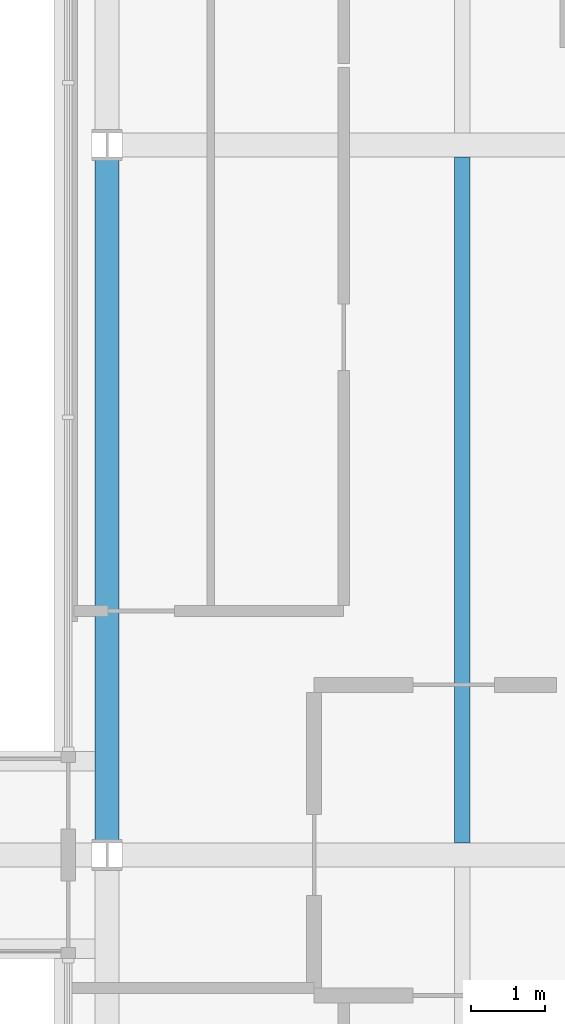
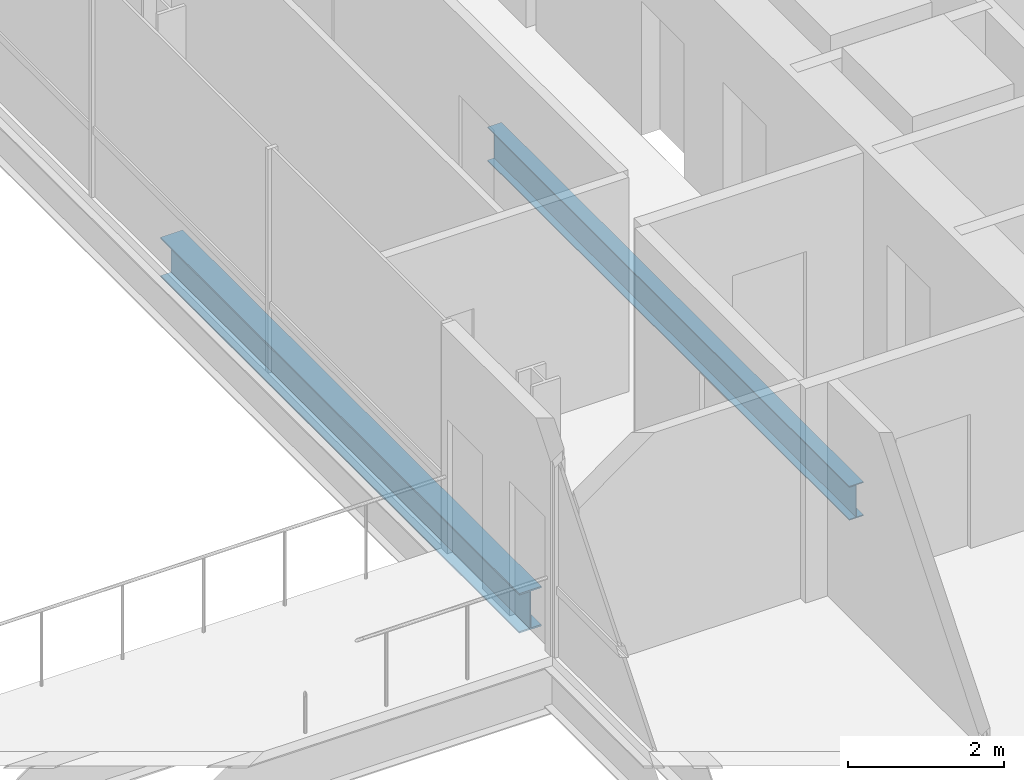
# One storey, part 6 of 26: 2 beams.
"""IFC4 building model written with IfcOpenShell, lengths in metres."""

from ifc_helpers import new_model, si_unit, direction, frame, origin, origin_2d, place, context, subcontext, project, spatial, i_section, extrude, material, material_profile, profile_set, type_object, element, save


model = new_model("IFC4")

# Units and contexts
model_context = context("Model", 3, precision=1e-05, world=origin(), true_north=direction((0.0, 1.0)))
body_context = subcontext(model_context, "Body", "Model", "MODEL_VIEW")
ifc_project = project(units=[si_unit("LENGTHUNIT", "METRE"), si_unit("AREAUNIT", "SQUARE_METRE"), si_unit("VOLUMEUNIT", "CUBIC_METRE"), si_unit("PLANEANGLEUNIT", "RADIAN"), si_unit("MASSUNIT", "GRAM", prefix="KILO")], contexts=[model_context])

# Site, building, storey
site_placement = place(None, origin())
site = spatial("IfcSite", under=ifc_project, at=site_placement, CompositionType="ELEMENT")
building_placement = place(site_placement, origin())
building = spatial("IfcBuilding", under=site, at=building_placement, Name="Cobrizo Arcos Hotel Tower", CompositionType="ELEMENT")
storey_placement = place(building_placement, frame((0.0, 0.0, 67.0)))
storey = spatial("IfcBuildingStorey", under=building, at=storey_placement, Name="L15", CompositionType="ELEMENT", Elevation=67.0)

# Beams
ifc_material = material(Name="Steel ASTM A992 Grade 50", Category="steel")
ifc_material_profile_1 = material_profile(ifc_material, i_section(OverallWidth=0.209228515625, OverallDepth=0.533447265625, WebThickness=0.01025390625, FlangeThickness=0.015625, at=origin_2d()), Name="W21X62")
ifc_profile_set_1 = profile_set([ifc_material_profile_1], Name="Steel ASTM A992 Grade 50")
beam_type_1 = type_object("IfcBeamType", Name="W21X62 joist", PredefinedType="JOIST", material=ifc_profile_set_1)
beam_1_placement = place(storey_placement, frame((14.39990234375, 0.163818359375, -0.416748046875), z_axis=(0.0, 1.0, 0.0), x_axis=(-1.0, 0.0, 0.0)))
element("IfcBeam", 1, at=beam_1_placement, inside=storey, type_object=beam_type_1, Name="Floor joist J1, L15, no. 009", PredefinedType="JOIST", context=body_context, shape_type="SweptSolid", body=[
    extrude(i_section(OverallWidth=0.209228515625, OverallDepth=0.533447265625, WebThickness=0.01025390625, FlangeThickness=0.015625, at=origin_2d()), origin(), (0.0, 0.0, 1.0), 9.272216796875),
])
ifc_material_profile_2 = material_profile(ifc_material, i_section(OverallWidth=0.32763671875, OverallDepth=0.622314453125, WebThickness=0.015380859375, FlangeThickness=0.0244140625, at=origin_2d()), Name="W24X131")
ifc_profile_set_2 = profile_set([ifc_material_profile_2], Name="Steel ASTM A992 Grade 50")
beam_type_2 = type_object("IfcBeamType", Name="W24X131 girder", PredefinedType="BEAM", material=ifc_profile_set_2)
beam_2_placement = place(storey_placement, frame((9.60009765625, 0.204345703125, -0.461181640625), z_axis=(0.0, 1.0, 0.0), x_axis=(-1.0, 0.0, 0.0)))
element("IfcBeam", 2, at=beam_2_placement, inside=storey, type_object=beam_type_2, Name="Floor girder G1, L15, no. 014", PredefinedType="BEAM", context=body_context, shape_type="SweptSolid", body=[
    extrude(i_section(OverallWidth=0.32763671875, OverallDepth=0.622314453125, WebThickness=0.015380859375, FlangeThickness=0.0244140625, at=origin_2d()), origin(), (0.0, 0.0, 1.0), 9.191162109375),
])

save(model, "model.ifc")
